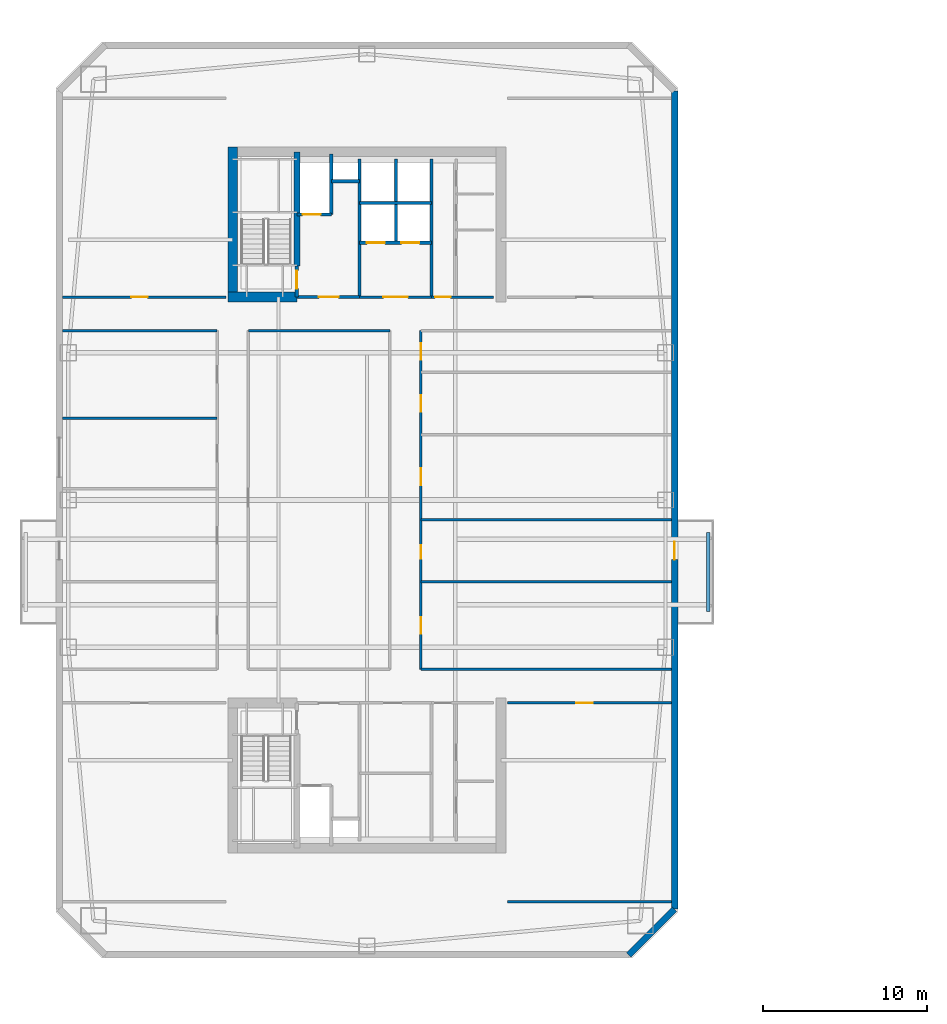
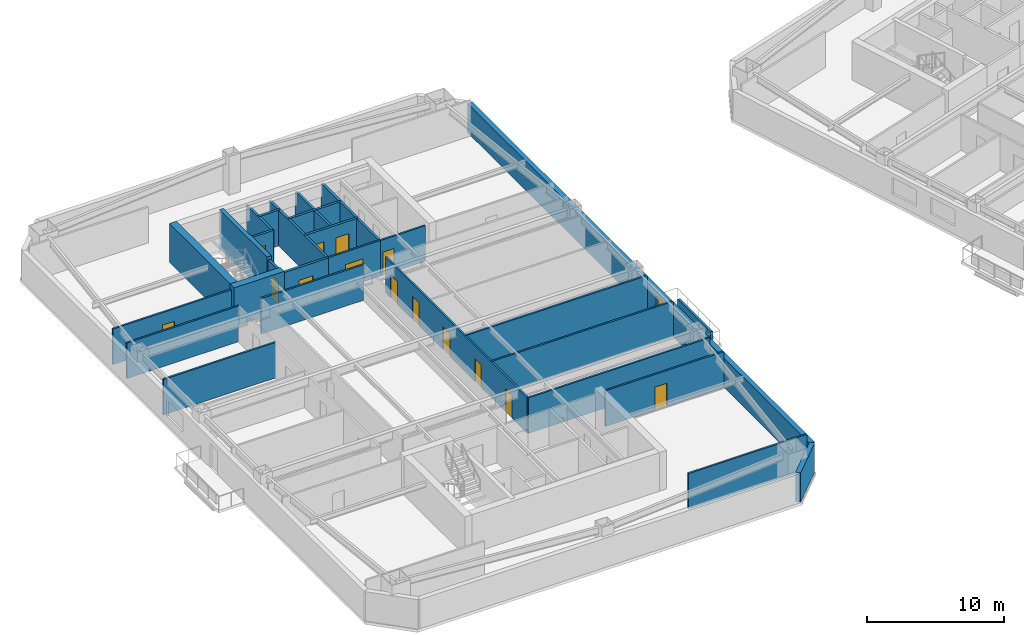
# One storey, part 5 of 14: 28 walls, 15 doors, 15 openings.
"""IFC4 building model written with IfcOpenShell, lengths in metres."""

from ifc_helpers import new_model, si_unit, direction, frame, frame_2d, origin, place, context, subcontext, project, spatial, rectangle, extrude, material, layer, layer_set, type_object, element, fill, save


model = new_model("IFC4")

# Units and contexts
model_context = context("Model", 3, precision=1e-05, world=origin(), true_north=direction((0.0, 1.0)))
body_context = subcontext(model_context, "Body", "Model", "MODEL_VIEW")
ifc_project = project(units=[si_unit("LENGTHUNIT", "METRE"), si_unit("AREAUNIT", "SQUARE_METRE"), si_unit("VOLUMEUNIT", "CUBIC_METRE"), si_unit("PLANEANGLEUNIT", "RADIAN"), si_unit("MASSUNIT", "GRAM", prefix="KILO")], contexts=[model_context])

# Site, building, storey
site_placement = place(None, origin())
site = spatial("IfcSite", under=ifc_project, at=site_placement, CompositionType="ELEMENT")
building_placement = place(site_placement, origin())
building = spatial("IfcBuilding", under=site, at=building_placement, Name="Qiaolan Cultural Towers", CompositionType="ELEMENT")
storey_placement = place(building_placement, frame((0.0, 0.0, 103.5)))
storey = spatial("IfcBuildingStorey", under=building, at=storey_placement, Name="L26", CompositionType="ELEMENT", Elevation=103.5)

# Walls
ifc_material_1 = material(Name="Concrete C50", Category="concrete")
ifc_layer_1 = layer(ifc_material_1, 0.35009765625)
ifc_layer_set_1 = layer_set([ifc_layer_1], Name="Concrete C50")
wall_type_1 = type_object("IfcWallType", Name="WL-CORE-350", PredefinedType="SHEAR", material=ifc_layer_set_1)
wall_1_placement = place(storey_placement, frame((25.719970703125, 48.300048828125, 0.0), z_axis=(0.0, 0.0, 1.0), x_axis=(0.0, 1.0, 0.0)))
element("IfcWall", 1, at=wall_1_placement, inside=storey, type_object=wall_type_1, Name="L26 T1-CN Stair Core Dividing Web", PredefinedType="SHEAR", context=body_context, shape_type="SweptSolid", body=[
    extrude(rectangle(XDim=6.97998046875, YDim=0.35009765625, at=frame_2d((3.489990234375, 0.0))), origin(), (0.0, 0.0, 1.0), 3.449951171875),
])
ifc_material_2 = material(Name="Concrete C55", Category="concrete")
ifc_layer_2 = layer(ifc_material_2, 0.60009765625)
ifc_layer_set_2 = layer_set([ifc_layer_2], Name="Concrete C55")
wall_type_2 = type_object("IfcWallType", Name="WL-CORE-600", PredefinedType="SHEAR", material=ifc_layer_set_2)
wall_2_placement = place(storey_placement, frame((21.800048828125, 46.10009765625, 0.0), z_axis=(0.0, 0.0, 1.0), x_axis=(0.0, 1.0, 0.0)))
element("IfcWall", 2, at=wall_2_placement, inside=storey, type_object=wall_type_2, Name="L26 T1-CN West Core Shear Wall", PredefinedType="SHEAR", context=body_context, shape_type="SweptSolid", body=[
    extrude(rectangle(XDim=9.47998046875, YDim=0.60009765625, at=frame_2d((4.739990234375, 0.0))), origin(), (0.0, 0.0, 1.0), 3.449951171875),
])
wall_3_placement = place(storey_placement, frame((21.5, 46.39990234375, 0.0), z_axis=(0.0, 0.0, 1.0), x_axis=(1.0, 0.0, 0.0)))
element("IfcWall", 3, at=wall_3_placement, inside=storey, type_object=wall_type_2, Name="L26 T1-CN Stair Front Shear Wall", PredefinedType="SHEAR", context=body_context, shape_type="SweptSolid", body=[
    extrude(rectangle(XDim=4.219970703125, YDim=0.60009765625, at=frame_2d((2.10986328125, 0.0))), origin(), (0.0, 0.0, 1.0), 3.449951171875),
])

# Wall, opening, door
ifc_material_3 = material(Name="Precast Concrete C50 Honed Stone Pier", Category="masonry")
ifc_layer_3 = layer(ifc_material_3, 0.39990234375)
ifc_layer_set_3 = layer_set([ifc_layer_3], Name="Precast Concrete C50 Honed Stone Pier")
wall_type_3 = type_object("IfcWallType", Name="WL-EXT-PIER-400", PredefinedType="SOLIDWALL", material=ifc_layer_set_3)
wall_4_placement = place(storey_placement, frame((48.800048828125, 59.0, 0.0), z_axis=(0.0, 0.0, 1.0), x_axis=(0.0, -1.0, 0.0)))
wall_4 = element("IfcWall", 4, at=wall_4_placement, inside=storey, type_object=wall_type_3, Name="L26 West Tower Precast Pier Facade Wall F5", PredefinedType="SOLIDWALL", context=body_context, shape_type="SweptSolid", body=[
    extrude(rectangle(XDim=50.0, YDim=0.39990234375, at=frame_2d((25.0, 0.0))), origin(), (0.0, 0.0, 1.0), 2.610107421875),
])
opening_1_placement = place(wall_4_placement, frame((27.550048828125, 0.0, 0.0)))
opening_1 = element("IfcOpeningElement", 5, at=opening_1_placement, cuts=wall_4, Name="Opening BD-01", PredefinedType="OPENING", context=body_context, shape_type="SweptSolid", body=[
    extrude(rectangle(XDim=1.10009765625, YDim=2.14990234375, at=frame_2d((0.550048828125, 1.074951171875))), frame((0.0, 0.2099609375, 0.0), z_axis=(0.0, -1.0, 0.0), x_axis=(1.0, 0.0, 0.0)), (0.0, 0.0, 1.0), 0.419921875),
])
ifc_material_4 = material(Name="Thermally Broken Aluminium Glazed Terrace Door", Category="aluminium")
door_type_1 = type_object("IfcDoorType", Name="DR-BAL-1100", OperationType="NOTDEFINED", PredefinedType="DOOR", material=ifc_material_4)
door_1_placement = place(opening_1_placement, origin())
door_1 = element("IfcDoor", 6, at=door_1_placement, inside=storey, type_object=door_type_1, Name="L26 T1 East Tree Balcony Door", OperationType="SINGLE_SWING_RIGHT", OverallHeight=2.14990234375, OverallWidth=1.10009765625, PredefinedType="DOOR", context=body_context, shape_type="SweptSolid", body=[
    extrude(rectangle(XDim=1.10009765625, YDim=2.14990234375, at=frame_2d((0.550048828125, 1.074951171875))), frame((0.0, 0.02490234375, 0.0), z_axis=(0.0, -1.0, 0.0), x_axis=(1.0, 0.0, 0.0)), (0.0, 0.0, 1.0), 0.050048828125),
])
fill(opening_1, door_1)

# Wall
wall_5_placement = place(storey_placement, frame((48.800048828125, 9.0, 0.0), z_axis=(0.0, 0.0, 1.0), x_axis=(-0.707106781187, -0.707106781187, 0.0)))
element("IfcWall", 7, at=wall_5_placement, inside=storey, type_object=wall_type_3, Name="L26 West Tower Precast Pier Facade Wall F6", PredefinedType="SOLIDWALL", context=body_context, shape_type="SweptSolid", body=[
    extrude(rectangle(XDim=3.9599609375, YDim=0.39990234375, at=frame_2d((1.97998046875, 0.0))), origin(), (0.0, 0.0, 1.0), 2.610107421875),
])

# Wall, opening, door
ifc_material_5 = material(Name="Concrete C35 Fire Wall", Category="concrete")
ifc_layer_4 = layer(ifc_material_5, 0.199951171875)
ifc_layer_set_4 = layer_set([ifc_layer_4], Name="Concrete C35 Fire Wall")
wall_type_4 = type_object("IfcWallType", Name="WL-FIRE-200", PredefinedType="PARTITIONING", material=ifc_layer_set_4)
wall_6_placement = place(storey_placement, frame((25.719970703125, 46.39990234375, 0.0), z_axis=(0.0, 0.0, 1.0), x_axis=(0.0, 1.0, 0.0)))
wall_6 = element("IfcWall", 8, at=wall_6_placement, inside=storey, type_object=wall_type_4, Name="L26 T1-CN Smokeproof Stair Entry Wall", PredefinedType="PARTITIONING", context=body_context, shape_type="SweptSolid", body=[
    extrude(rectangle(XDim=1.900146484375, YDim=0.199951171875, at=frame_2d((0.9501953125, 0.0))), origin(), (0.0, 0.0, 1.0), 3.175048828125),
])
opening_2_placement = place(wall_6_placement, frame((0.52001953125, 0.0, 0.0)))
opening_2 = element("IfcOpeningElement", 9, at=opening_2_placement, cuts=wall_6, Name="Opening FD-04", PredefinedType="OPENING", context=body_context, shape_type="SweptSolid", body=[
    extrude(rectangle(XDim=1.10009765625, YDim=2.050048828125, at=frame_2d((0.550048828125, 1.02490234375))), frame((0.0, 0.10986328125, 0.0), z_axis=(0.0, -1.0, 0.0), x_axis=(1.0, 0.0, 0.0)), (0.0, 0.0, 1.0), 0.219970703125),
])
ifc_material_6 = material(Name="Galvanized Steel Command Fire Door", Category="steel")
door_type_2 = type_object("IfcDoorType", Name="DR-FD90-1100", OperationType="NOTDEFINED", PredefinedType="DOOR", material=ifc_material_6)
door_2_placement = place(opening_2_placement, origin())
door_2 = element("IfcDoor", 10, at=door_2_placement, inside=storey, type_object=door_type_2, Name="L26 ST-W2 Smokeproof Stair Fire Door", OperationType="SINGLE_SWING_LEFT", OverallHeight=2.050048828125, OverallWidth=1.10009765625, PredefinedType="DOOR", context=body_context, shape_type="SweptSolid", body=[
    extrude(rectangle(XDim=1.10009765625, YDim=2.050048828125, at=frame_2d((0.550048828125, 1.02490234375))), frame((0.0, 0.02490234375, 0.0), z_axis=(0.0, -1.0, 0.0), x_axis=(1.0, 0.0, 0.0)), (0.0, 0.0, 1.0), 0.050048828125),
])
fill(opening_2, door_2)

# Wall
wall_7_placement = place(storey_placement, frame((29.550048828125, 46.39990234375, 0.0), z_axis=(0.0, 0.0, 1.0), x_axis=(0.0, 1.0, 0.0)))
element("IfcWall", 11, at=wall_7_placement, inside=storey, type_object=wall_type_4, Name="L26 T1-CN Firefighting Zone Wall", PredefinedType="PARTITIONING", context=body_context, shape_type="SweptSolid", body=[
    extrude(rectangle(XDim=8.43017578125, YDim=0.199951171875, at=frame_2d((4.215087890625, 0.0))), origin(), (0.0, 0.0, 1.0), 3.175048828125),
])

# Wall, opening, door
wall_8_placement = place(storey_placement, frame((25.719970703125, 46.39990234375, 0.0), z_axis=(0.0, 0.0, 1.0), x_axis=(1.0, 0.0, 0.0)))
wall_8 = element("IfcWall", 12, at=wall_8_placement, inside=storey, type_object=wall_type_4, Name="L26 T1-CN Firefighting Lobby Front Wall", PredefinedType="PARTITIONING", context=body_context, shape_type="SweptSolid", body=[
    extrude(rectangle(XDim=3.830078125, YDim=0.199951171875, at=frame_2d((1.9150390625, 0.0))), origin(), (0.0, 0.0, 1.0), 3.175048828125),
])
opening_3_placement = place(wall_8_placement, frame((1.35009765625, 0.0, 0.0)))
opening_3 = element("IfcOpeningElement", 13, at=opening_3_placement, cuts=wall_8, Name="Opening FD-03", PredefinedType="OPENING", context=body_context, shape_type="SweptSolid", body=[
    extrude(rectangle(XDim=1.199951171875, YDim=2.050048828125, at=frame_2d((0.60009765625, 1.02490234375))), frame((0.0, 0.10986328125, 0.0), z_axis=(0.0, -1.0, 0.0), x_axis=(1.0, 0.0, 0.0)), (0.0, 0.0, 1.0), 0.219970703125),
])
ifc_material_7 = material(Name="Galvanized Steel Smokeproof Lobby Fire Door", Category="steel")
door_type_3 = type_object("IfcDoorType", Name="DR-FD90-1200", OperationType="NOTDEFINED", PredefinedType="DOOR", material=ifc_material_7)
door_3_placement = place(opening_3_placement, origin())
door_3 = element("IfcDoor", 14, at=door_3_placement, inside=storey, type_object=door_type_3, Name="L26 FFL-W2 Firefighting Lobby Fire Door", OperationType="SINGLE_SWING_LEFT", OverallHeight=2.050048828125, OverallWidth=1.199951171875, PredefinedType="DOOR", context=body_context, shape_type="SweptSolid", body=[
    extrude(rectangle(XDim=1.199951171875, YDim=2.050048828125, at=frame_2d((0.60009765625, 1.02490234375))), frame((0.0, 0.02490234375, 0.0), z_axis=(0.0, -1.0, 0.0), x_axis=(1.0, 0.0, 0.0)), (0.0, 0.0, 1.0), 0.050048828125),
])
fill(opening_3, door_3)

wall_9_placement = place(storey_placement, frame((25.719970703125, 51.449951171875, 0.0), z_axis=(0.0, 0.0, 1.0), x_axis=(1.0, 0.0, 0.0)))
wall_9 = element("IfcWall", 15, at=wall_9_placement, inside=storey, type_object=wall_type_4, Name="L26 T1-CN Firefighting Shaft Front Wall", PredefinedType="PARTITIONING", context=body_context, shape_type="SweptSolid", body=[
    extrude(rectangle(XDim=2.10009765625, YDim=0.199951171875, at=frame_2d((1.050048828125, 0.0))), origin(), (0.0, 0.0, 1.0), 3.175048828125),
])
opening_4_placement = place(wall_9_placement, frame((0.35009765625, 0.0, 0.0)))
opening_4 = element("IfcOpeningElement", 16, at=opening_4_placement, cuts=wall_9, Name="Opening LD-01", PredefinedType="OPENING", context=body_context, shape_type="SweptSolid", body=[
    extrude(rectangle(XDim=1.10009765625, YDim=2.050048828125, at=frame_2d((0.550048828125, 1.02490234375))), frame((0.0, 0.10986328125, 0.0), z_axis=(0.0, -1.0, 0.0), x_axis=(1.0, 0.0, 0.0)), (0.0, 0.0, 1.0), 0.219970703125),
])
ifc_material_8 = material(Name="Brushed Stainless Steel S30408 Centre-Parting Lift Landing Door", Category="steel")
door_type_4 = type_object("IfcDoorType", Name="DR-LIFT-1100", OperationType="NOTDEFINED", PredefinedType="DOOR", material=ifc_material_8)
door_4_placement = place(opening_4_placement, origin())
door_4 = element("IfcDoor", 17, at=door_4_placement, inside=storey, type_object=door_type_4, Name="L26 FFL-W2 Firefighting Lift Landing Door", OperationType="DOUBLE_DOOR_SLIDING", OverallHeight=2.050048828125, OverallWidth=1.10009765625, PredefinedType="DOOR", context=body_context, shape_type="SweptSolid", body=[
    extrude(rectangle(XDim=1.10009765625, YDim=2.050048828125, at=frame_2d((0.550048828125, 1.02490234375))), frame((0.0, 0.02490234375, 0.0), z_axis=(0.0, -1.0, 0.0), x_axis=(1.0, 0.0, 0.0)), (0.0, 0.0, 1.0), 0.050048828125),
])
fill(opening_4, door_4)

# Walls
wall_10_placement = place(storey_placement, frame((27.820068359375, 51.449951171875, 0.0), z_axis=(0.0, 0.0, 1.0), x_axis=(0.0, 1.0, 0.0)))
element("IfcWall", 18, at=wall_10_placement, inside=storey, type_object=wall_type_4, Name="L26 T1-CN Firefighting Hoistway East Wall", PredefinedType="PARTITIONING", context=body_context, shape_type="SweptSolid", body=[
    extrude(rectangle(XDim=3.699951171875, YDim=0.199951171875, at=frame_2d((1.85009765625, 0.0))), origin(), (0.0, 0.0, 1.0), 3.175048828125),
])
wall_11_placement = place(storey_placement, frame((27.820068359375, 53.47998046875, 0.0), z_axis=(0.0, 0.0, 1.0), x_axis=(1.0, 0.0, 0.0)))
element("IfcWall", 19, at=wall_11_placement, inside=storey, type_object=wall_type_4, Name="L26 T1-CN Pressurization Shaft Front Wall", PredefinedType="PARTITIONING", context=body_context, shape_type="SweptSolid", body=[
    extrude(rectangle(XDim=1.72998046875, YDim=0.199951171875, at=frame_2d((0.864990234375, 0.0))), origin(), (0.0, 0.0, 1.0), 3.175048828125),
])
wall_12_placement = place(storey_placement, frame((33.949951171875, 46.39990234375, 0.0), z_axis=(0.0, 0.0, 1.0), x_axis=(0.0, 1.0, 0.0)))
element("IfcWall", 20, at=wall_12_placement, inside=storey, type_object=wall_type_4, Name="L26 T1-CN Lift Core East Wall", PredefinedType="PARTITIONING", context=body_context, shape_type="SweptSolid", body=[
    extrude(rectangle(XDim=8.43017578125, YDim=0.199951171875, at=frame_2d((4.215087890625, 0.0))), origin(), (0.0, 0.0, 1.0), 3.175048828125),
])

# Wall, openings, doors
wall_13_placement = place(storey_placement, frame((29.550048828125, 49.719970703125, 0.0), z_axis=(0.0, 0.0, 1.0), x_axis=(1.0, 0.0, 0.0)))
wall_13 = element("IfcWall", 21, at=wall_13_placement, inside=storey, type_object=wall_type_4, Name="L26 T1-CN Passenger Lift Shaft Front Wall", PredefinedType="PARTITIONING", context=body_context, shape_type="SweptSolid", body=[
    extrude(rectangle(XDim=4.39990234375, YDim=0.199951171875, at=frame_2d((2.199951171875, 0.0))), origin(), (0.0, 0.0, 1.0), 3.175048828125),
])
opening_5_placement = place(wall_13_placement, frame((0.449951171875, 0.0, 0.0)))
opening_5 = element("IfcOpeningElement", 22, at=opening_5_placement, cuts=wall_13, Name="Opening LD-01", PredefinedType="OPENING", context=body_context, shape_type="SweptSolid", body=[
    extrude(rectangle(XDim=1.10009765625, YDim=2.050048828125, at=frame_2d((0.550048828125, 1.02490234375))), frame((0.0, 0.10986328125, 0.0), z_axis=(0.0, -1.0, 0.0), x_axis=(1.0, 0.0, 0.0)), (0.0, 0.0, 1.0), 0.219970703125),
])
opening_6_placement = place(wall_13_placement, frame((2.550048828125, 0.0, 0.0)))
opening_6 = element("IfcOpeningElement", 23, at=opening_6_placement, cuts=wall_13, Name="Opening LD-01", PredefinedType="OPENING", context=body_context, shape_type="SweptSolid", body=[
    extrude(rectangle(XDim=1.10009765625, YDim=2.050048828125, at=frame_2d((0.550048828125, 1.02490234375))), frame((0.0, 0.10986328125, 0.0), z_axis=(0.0, -1.0, 0.0), x_axis=(1.0, 0.0, 0.0)), (0.0, 0.0, 1.0), 0.219970703125),
])
door_5_placement = place(opening_5_placement, origin())
door_5 = element("IfcDoor", 24, at=door_5_placement, inside=storey, type_object=door_type_4, Name="L26 Passenger Lift 1 Landing Door", OperationType="DOUBLE_DOOR_SLIDING", OverallHeight=2.050048828125, OverallWidth=1.10009765625, PredefinedType="DOOR", context=body_context, shape_type="SweptSolid", body=[
    extrude(rectangle(XDim=1.10009765625, YDim=2.050048828125, at=frame_2d((0.550048828125, 1.02490234375))), frame((0.0, 0.02490234375, 0.0), z_axis=(0.0, -1.0, 0.0), x_axis=(1.0, 0.0, 0.0)), (0.0, 0.0, 1.0), 0.050048828125),
])
fill(opening_5, door_5)
door_6_placement = place(opening_6_placement, origin())
door_6 = element("IfcDoor", 25, at=door_6_placement, inside=storey, type_object=door_type_4, Name="L26 Passenger Lift 2 Landing Door", OperationType="DOUBLE_DOOR_SLIDING", OverallHeight=2.050048828125, OverallWidth=1.10009765625, PredefinedType="DOOR", context=body_context, shape_type="SweptSolid", body=[
    extrude(rectangle(XDim=1.10009765625, YDim=2.050048828125, at=frame_2d((0.550048828125, 1.02490234375))), frame((0.0, 0.02490234375, 0.0), z_axis=(0.0, -1.0, 0.0), x_axis=(1.0, 0.0, 0.0)), (0.0, 0.0, 1.0), 0.050048828125),
])
fill(opening_6, door_6)

# Walls
wall_14_placement = place(storey_placement, frame((31.780029296875, 49.719970703125, 0.0), z_axis=(0.0, 0.0, 1.0), x_axis=(0.0, 1.0, 0.0)))
element("IfcWall", 26, at=wall_14_placement, inside=storey, type_object=wall_type_4, Name="L26 T1-CN Lift Shaft Divider Wall", PredefinedType="PARTITIONING", context=body_context, shape_type="SweptSolid", body=[
    extrude(rectangle(XDim=5.110107421875, YDim=0.199951171875, at=frame_2d((2.55517578125, 0.0))), origin(), (0.0, 0.0, 1.0), 3.175048828125),
])
wall_15_placement = place(storey_placement, frame((29.550048828125, 52.14990234375, 0.0), z_axis=(0.0, 0.0, 1.0), x_axis=(1.0, 0.0, 0.0)))
element("IfcWall", 27, at=wall_15_placement, inside=storey, type_object=wall_type_4, Name="L26 T1-CN Passenger Lift Shaft Back Wall", PredefinedType="PARTITIONING", context=body_context, shape_type="SweptSolid", body=[
    extrude(rectangle(XDim=4.39990234375, YDim=0.199951171875, at=frame_2d((2.199951171875, 0.0))), origin(), (0.0, 0.0, 1.0), 3.175048828125),
])

# Wall, opening, door
ifc_material_9 = material(Name="Autoclaved Aerated Concrete Block B06", Category="concrete")
ifc_layer_5 = layer(ifc_material_9, 0.14990234375)
ifc_layer_set_5 = layer_set([ifc_layer_5], Name="Autoclaved Aerated Concrete Block B06")
wall_type_5 = type_object("IfcWallType", Name="WL-PART-150", PredefinedType="PARTITIONING", material=ifc_layer_set_5)
wall_16_placement = place(storey_placement, frame((29.550048828125, 46.39990234375, 0.0), z_axis=(0.0, 0.0, 1.0), x_axis=(1.0, 0.0, 0.0)))
wall_16 = element("IfcWall", 28, at=wall_16_placement, inside=storey, type_object=wall_type_5, Name="L26 T1-CN Passenger Lift Lobby Front Wall", PredefinedType="PARTITIONING", context=body_context, shape_type="SweptSolid", body=[
    extrude(rectangle(XDim=4.39990234375, YDim=0.14990234375, at=frame_2d((2.199951171875, 0.0))), origin(), (0.0, 0.0, 1.0), 3.175048828125),
])
opening_7_placement = place(wall_16_placement, frame((1.449951171875, 0.0, 0.0)))
opening_7 = element("IfcOpeningElement", 29, at=opening_7_placement, cuts=wall_16, Name="Opening FD-05", PredefinedType="OPENING", context=body_context, shape_type="SweptSolid", body=[
    extrude(rectangle(XDim=1.5, YDim=2.050048828125, at=frame_2d((0.75, 1.02490234375))), frame((0.0, 0.0849609375, 0.0), z_axis=(0.0, -1.0, 0.0), x_axis=(1.0, 0.0, 0.0)), (0.0, 0.0, 1.0), 0.169921875),
])
ifc_material_10 = material(Name="Painted Steel Lift Lobby Fire Door", Category="steel")
door_type_5 = type_object("IfcDoorType", Name="DR-FD60-1500", OperationType="NOTDEFINED", PredefinedType="DOOR", material=ifc_material_10)
door_7_placement = place(opening_7_placement, origin())
door_7 = element("IfcDoor", 30, at=door_7_placement, inside=storey, type_object=door_type_5, Name="L26 Passenger Lift Lobby Entrance", OperationType="SINGLE_SWING_LEFT", OverallHeight=2.050048828125, OverallWidth=1.5, PredefinedType="DOOR", context=body_context, shape_type="SweptSolid", body=[
    extrude(rectangle(XDim=1.5, YDim=2.050048828125, at=frame_2d((0.75, 1.02490234375))), frame((0.0, 0.02490234375, 0.0), z_axis=(0.0, -1.0, 0.0), x_axis=(1.0, 0.0, 0.0)), (0.0, 0.0, 1.0), 0.050048828125),
])
fill(opening_7, door_7)

wall_17_placement = place(storey_placement, frame((33.949951171875, 46.39990234375, 0.0), z_axis=(0.0, 0.0, 1.0), x_axis=(1.0, 0.0, 0.0)))
wall_17 = element("IfcWall", 31, at=wall_17_placement, inside=storey, type_object=wall_type_5, Name="L26 T1-CN Sanitary Core Front Wall", PredefinedType="PARTITIONING", context=body_context, shape_type="SweptSolid", body=[
    extrude(rectangle(XDim=3.800048828125, YDim=0.14990234375, at=frame_2d((1.89990234375, 0.0))), origin(), (0.0, 0.0, 1.0), 3.175048828125),
])
opening_8_placement = place(wall_17_placement, frame((0.219970703125, 0.0, 0.0)))
opening_8 = element("IfcOpeningElement", 32, at=opening_8_placement, cuts=wall_17, Name="Opening ID-05", PredefinedType="OPENING", context=body_context, shape_type="SweptSolid", body=[
    extrude(rectangle(XDim=0.949951171875, YDim=2.050048828125, at=frame_2d((0.47509765625, 1.02490234375))), frame((0.0, 0.0849609375, 0.0), z_axis=(0.0, -1.0, 0.0), x_axis=(1.0, 0.0, 0.0)), (0.0, 0.0, 1.0), 0.169921875),
])
ifc_material_11 = material(Name="Fire-Rated Laminate Accessible Core Door", Category="timber")
door_type_6 = type_object("IfcDoorType", Name="DR-INT-950", OperationType="NOTDEFINED", PredefinedType="DOOR", material=ifc_material_11)
door_8_placement = place(opening_8_placement, origin())
door_8 = element("IfcDoor", 33, at=door_8_placement, inside=storey, type_object=door_type_6, Name="L26 Sanitary Vestibule Door", OperationType="SINGLE_SWING_LEFT", OverallHeight=2.050048828125, OverallWidth=0.949951171875, PredefinedType="DOOR", context=body_context, shape_type="SweptSolid", body=[
    extrude(rectangle(XDim=0.949951171875, YDim=2.050048828125, at=frame_2d((0.47509765625, 1.02490234375))), frame((0.0, 0.02490234375, 0.0), z_axis=(0.0, -1.0, 0.0), x_axis=(1.0, 0.0, 0.0)), (0.0, 0.0, 1.0), 0.050048828125),
])
fill(opening_8, door_8)

# Wall
wall_18_placement = place(storey_placement, frame((38.60009765625, 9.449951171875, 0.0), z_axis=(0.0, 0.0, 1.0), x_axis=(1.0, 0.0, 0.0)))
element("IfcWall", 34, at=wall_18_placement, inside=storey, type_object=wall_type_5, Name="L26 T1 Flank Wall FLK-SE", PredefinedType="PARTITIONING", context=body_context, shape_type="SweptSolid", body=[
    extrude(rectangle(XDim=10.0, YDim=0.14990234375, at=frame_2d((5.0, 0.0))), origin(), (0.0, 0.0, 1.0), 3.175048828125),
])

# Wall, opening, door
wall_19_placement = place(storey_placement, frame((38.60009765625, 21.60009765625, 0.0), z_axis=(0.0, 0.0, 1.0), x_axis=(1.0, 0.0, 0.0)))
wall_19 = element("IfcWall", 35, at=wall_19_placement, inside=storey, type_object=wall_type_5, Name="L26 T1 Flank Front FLK-SE", PredefinedType="PARTITIONING", context=body_context, shape_type="SweptSolid", body=[
    extrude(rectangle(XDim=10.0, YDim=0.14990234375, at=frame_2d((5.0, 0.0))), origin(), (0.0, 0.0, 1.0), 3.175048828125),
])
opening_9_placement = place(wall_19_placement, frame((4.199951171875, 0.0, 0.0)))
opening_9 = element("IfcOpeningElement", 36, at=opening_9_placement, cuts=wall_19, Name="Opening ID-04", PredefinedType="OPENING", context=body_context, shape_type="SweptSolid", body=[
    extrude(rectangle(XDim=1.0, YDim=2.050048828125, at=frame_2d((0.5, 1.02490234375))), frame((0.0, 0.0849609375, 0.0), z_axis=(0.0, -1.0, 0.0), x_axis=(1.0, 0.0, 0.0)), (0.0, 0.0, 1.0), 0.169921875),
])
ifc_material_12 = material(Name="Oak Veneer Acoustic Office Door", Category="timber")
door_type_7 = type_object("IfcDoorType", Name="DR-INT-1000", OperationType="NOTDEFINED", PredefinedType="DOOR", material=ifc_material_12)
door_9_placement = place(opening_9_placement, origin())
door_9 = element("IfcDoor", 37, at=door_9_placement, inside=storey, type_object=door_type_7, Name="L26 T1 Corner Studio Door", OperationType="SINGLE_SWING_LEFT", OverallHeight=2.050048828125, OverallWidth=1.0, PredefinedType="DOOR", context=body_context, shape_type="SweptSolid", body=[
    extrude(rectangle(XDim=1.0, YDim=2.050048828125, at=frame_2d((0.5, 1.02490234375))), frame((0.0, 0.02490234375, 0.0), z_axis=(0.0, -1.0, 0.0), x_axis=(1.0, 0.0, 0.0)), (0.0, 0.0, 1.0), 0.050048828125),
])
fill(opening_9, door_9)

wall_20_placement = place(storey_placement, frame((11.39990234375, 46.39990234375, 0.0), z_axis=(0.0, 0.0, 1.0), x_axis=(1.0, 0.0, 0.0)))
wall_20 = element("IfcWall", 38, at=wall_20_placement, inside=storey, type_object=wall_type_5, Name="L26 T1 Flank Front FLK-NW", PredefinedType="PARTITIONING", context=body_context, shape_type="SweptSolid", body=[
    extrude(rectangle(XDim=10.0, YDim=0.14990234375, at=frame_2d((5.0, 0.0))), origin(), (0.0, 0.0, 1.0), 3.175048828125),
])
opening_10_placement = place(wall_20_placement, frame((4.199951171875, 0.0, 0.0)))
opening_10 = element("IfcOpeningElement", 39, at=opening_10_placement, cuts=wall_20, Name="Opening ID-04", PredefinedType="OPENING", context=body_context, shape_type="SweptSolid", body=[
    extrude(rectangle(XDim=1.0, YDim=2.050048828125, at=frame_2d((0.5, 1.02490234375))), frame((0.0, 0.0849609375, 0.0), z_axis=(0.0, -1.0, 0.0), x_axis=(1.0, 0.0, 0.0)), (0.0, 0.0, 1.0), 0.169921875),
])
door_10_placement = place(opening_10_placement, origin())
door_10 = element("IfcDoor", 40, at=door_10_placement, inside=storey, type_object=door_type_7, Name="L26 T1 Corner Studio Door", OperationType="SINGLE_SWING_LEFT", OverallHeight=2.050048828125, OverallWidth=1.0, PredefinedType="DOOR", context=body_context, shape_type="SweptSolid", body=[
    extrude(rectangle(XDim=1.0, YDim=2.050048828125, at=frame_2d((0.5, 1.02490234375))), frame((0.0, 0.02490234375, 0.0), z_axis=(0.0, -1.0, 0.0), x_axis=(1.0, 0.0, 0.0)), (0.0, 0.0, 1.0), 0.050048828125),
])
fill(opening_10, door_10)

# Walls
wall_21_placement = place(storey_placement, frame((33.300048828125, 23.64990234375, 0.0), z_axis=(0.0, 0.0, 1.0), x_axis=(1.0, 0.0, 0.0)))
element("IfcWall", 41, at=wall_21_placement, inside=storey, type_object=wall_type_5, Name="L26 T1 Interior Wall", PredefinedType="PARTITIONING", context=body_context, shape_type="SweptSolid", body=[
    extrude(rectangle(XDim=15.300048828125, YDim=0.14990234375, at=frame_2d((7.64990234375, 0.0))), origin(), (0.0, 0.0, 1.0), 3.175048828125),
])
wall_22_placement = place(storey_placement, frame((11.39990234375, 44.35009765625, 0.0), z_axis=(0.0, 0.0, 1.0), x_axis=(1.0, 0.0, 0.0)))
element("IfcWall", 42, at=wall_22_placement, inside=storey, type_object=wall_type_5, Name="L26 T1 Interior Wall", PredefinedType="PARTITIONING", context=body_context, shape_type="SweptSolid", body=[
    extrude(rectangle(XDim=9.4501953125, YDim=0.14990234375, at=frame_2d((4.72509765625, 0.0))), origin(), (0.0, 0.0, 1.0), 3.175048828125),
])
wall_23_placement = place(storey_placement, frame((22.75, 44.35009765625, 0.0), z_axis=(0.0, 0.0, 1.0), x_axis=(1.0, 0.0, 0.0)))
element("IfcWall", 43, at=wall_23_placement, inside=storey, type_object=wall_type_5, Name="L26 T1 Interior Wall", PredefinedType="PARTITIONING", context=body_context, shape_type="SweptSolid", body=[
    extrude(rectangle(XDim=8.64990234375, YDim=0.14990234375, at=frame_2d((4.324951171875, 0.0))), origin(), (0.0, 0.0, 1.0), 3.175048828125),
])

# Wall, openings, doors
wall_24_placement = place(storey_placement, frame((33.300048828125, 23.64990234375, 0.0), z_axis=(0.0, 0.0, 1.0), x_axis=(0.0, 1.0, 0.0)))
wall_24 = element("IfcWall", 44, at=wall_24_placement, inside=storey, type_object=wall_type_5, Name="L26 T1 Interior Wall", PredefinedType="PARTITIONING", context=body_context, shape_type="SweptSolid", body=[
    extrude(rectangle(XDim=20.7001953125, YDim=0.14990234375, at=frame_2d((10.35009765625, 0.0))), origin(), (0.0, 0.0, 1.0), 3.175048828125),
])
opening_11_placement = place(wall_24_placement, frame((2.175048828125, 0.0, 0.0)))
opening_11 = element("IfcOpeningElement", 45, at=opening_11_placement, cuts=wall_24, Name="Opening ID-04", PredefinedType="OPENING", context=body_context, shape_type="SweptSolid", body=[
    extrude(rectangle(XDim=1.0, YDim=2.050048828125, at=frame_2d((0.5, 1.02490234375))), frame((0.0, 0.0849609375, 0.0), z_axis=(0.0, -1.0, 0.0), x_axis=(1.0, 0.0, 0.0)), (0.0, 0.0, 1.0), 0.169921875),
])
opening_12_placement = place(wall_24_placement, frame((6.75, 0.0, 0.0)))
opening_12 = element("IfcOpeningElement", 46, at=opening_12_placement, cuts=wall_24, Name="Opening ID-09", PredefinedType="OPENING", context=body_context, shape_type="SweptSolid", body=[
    extrude(rectangle(XDim=0.85009765625, YDim=2.050048828125, at=frame_2d((0.425048828125, 1.02490234375))), frame((0.0, 0.0849609375, 0.0), z_axis=(0.0, -1.0, 0.0), x_axis=(1.0, 0.0, 0.0)), (0.0, 0.0, 1.0), 0.169921875),
])
opening_13_placement = place(wall_24_placement, frame((11.25, 0.0, 0.0)))
opening_13 = element("IfcOpeningElement", 47, at=opening_13_placement, cuts=wall_24, Name="Opening ID-07", PredefinedType="OPENING", context=body_context, shape_type="SweptSolid", body=[
    extrude(rectangle(XDim=1.050048828125, YDim=2.050048828125, at=frame_2d((0.52490234375, 1.02490234375))), frame((0.0, 0.0849609375, 0.0), z_axis=(0.0, -1.0, 0.0), x_axis=(1.0, 0.0, 0.0)), (0.0, 0.0, 1.0), 0.169921875),
])
opening_14_placement = place(wall_24_placement, frame((15.75, 0.0, 0.0)))
opening_14 = element("IfcOpeningElement", 48, at=opening_14_placement, cuts=wall_24, Name="Opening ID-04", PredefinedType="OPENING", context=body_context, shape_type="SweptSolid", body=[
    extrude(rectangle(XDim=1.0, YDim=2.050048828125, at=frame_2d((0.5, 1.02490234375))), frame((0.0, 0.0849609375, 0.0), z_axis=(0.0, -1.0, 0.0), x_axis=(1.0, 0.0, 0.0)), (0.0, 0.0, 1.0), 0.169921875),
])
opening_15_placement = place(wall_24_placement, frame((18.925048828125, 0.0, 0.0)))
opening_15 = element("IfcOpeningElement", 49, at=opening_15_placement, cuts=wall_24, Name="Opening ID-04", PredefinedType="OPENING", context=body_context, shape_type="SweptSolid", body=[
    extrude(rectangle(XDim=1.0, YDim=2.050048828125, at=frame_2d((0.5, 1.02490234375))), frame((0.0, 0.0849609375, 0.0), z_axis=(0.0, -1.0, 0.0), x_axis=(1.0, 0.0, 0.0)), (0.0, 0.0, 1.0), 0.169921875),
])
door_11_placement = place(opening_11_placement, origin())
door_11 = element("IfcDoor", 50, at=door_11_placement, inside=storey, type_object=door_type_7, Name="L26 T1 Archival Research Office Door", OperationType="SINGLE_SWING_RIGHT", OverallHeight=2.050048828125, OverallWidth=1.0, PredefinedType="DOOR", context=body_context, shape_type="SweptSolid", body=[
    extrude(rectangle(XDim=1.0, YDim=2.050048828125, at=frame_2d((0.5, 1.02490234375))), frame((0.0, 0.02490234375, 0.0), z_axis=(0.0, -1.0, 0.0), x_axis=(1.0, 0.0, 0.0)), (0.0, 0.0, 1.0), 0.050048828125),
])
fill(opening_11, door_11)
door_12_placement = place(opening_14_placement, origin())
door_12 = element("IfcDoor", 51, at=door_12_placement, inside=storey, type_object=door_type_7, Name="L26 T1 Tea Kitchen Door", OperationType="SINGLE_SWING_LEFT", OverallHeight=2.050048828125, OverallWidth=1.0, PredefinedType="DOOR", context=body_context, shape_type="SweptSolid", body=[
    extrude(rectangle(XDim=1.0, YDim=2.050048828125, at=frame_2d((0.5, 1.02490234375))), frame((0.0, 0.02490234375, 0.0), z_axis=(0.0, -1.0, 0.0), x_axis=(1.0, 0.0, 0.0)), (0.0, 0.0, 1.0), 0.050048828125),
])
fill(opening_14, door_12)
door_13_placement = place(opening_15_placement, origin())
door_13 = element("IfcDoor", 52, at=door_13_placement, inside=storey, type_object=door_type_7, Name="L26 T1 Scholar Lounge Door", OperationType="SINGLE_SWING_RIGHT", OverallHeight=2.050048828125, OverallWidth=1.0, PredefinedType="DOOR", context=body_context, shape_type="SweptSolid", body=[
    extrude(rectangle(XDim=1.0, YDim=2.050048828125, at=frame_2d((0.5, 1.02490234375))), frame((0.0, 0.02490234375, 0.0), z_axis=(0.0, -1.0, 0.0), x_axis=(1.0, 0.0, 0.0)), (0.0, 0.0, 1.0), 0.050048828125),
])
fill(opening_15, door_13)
ifc_material_13 = material(Name="Oak Veneer Consultation Door", Category="timber")
door_type_8 = type_object("IfcDoorType", Name="DR-INT-1050", OperationType="NOTDEFINED", PredefinedType="DOOR", material=ifc_material_13)
door_14_placement = place(opening_13_placement, origin())
door_14 = element("IfcDoor", 53, at=door_14_placement, inside=storey, type_object=door_type_8, Name="L26 T1 Colloquium Room Door", OperationType="SINGLE_SWING_RIGHT", OverallHeight=2.050048828125, OverallWidth=1.050048828125, PredefinedType="DOOR", context=body_context, shape_type="SweptSolid", body=[
    extrude(rectangle(XDim=1.050048828125, YDim=2.050048828125, at=frame_2d((0.52490234375, 1.02490234375))), frame((0.0, 0.02490234375, 0.0), z_axis=(0.0, -1.0, 0.0), x_axis=(1.0, 0.0, 0.0)), (0.0, 0.0, 1.0), 0.050048828125),
])
fill(opening_13, door_14)
ifc_material_14 = material(Name="Moisture-Resistant Laminate Utility Door", Category="timber")
door_type_9 = type_object("IfcDoorType", Name="DR-INT-850", OperationType="NOTDEFINED", PredefinedType="DOOR", material=ifc_material_14)
door_15_placement = place(opening_12_placement, origin())
door_15 = element("IfcDoor", 54, at=door_15_placement, inside=storey, type_object=door_type_9, Name="L26 T1 Archival Research Office Door", OperationType="SINGLE_SWING_LEFT", OverallHeight=2.050048828125, OverallWidth=0.85009765625, PredefinedType="DOOR", context=body_context, shape_type="SweptSolid", body=[
    extrude(rectangle(XDim=0.85009765625, YDim=2.050048828125, at=frame_2d((0.425048828125, 1.02490234375))), frame((0.0, 0.02490234375, 0.0), z_axis=(0.0, -1.0, 0.0), x_axis=(1.0, 0.0, 0.0)), (0.0, 0.0, 1.0), 0.050048828125),
])
fill(opening_12, door_15)

# Walls
wall_25_placement = place(storey_placement, frame((11.39990234375, 39.0, 0.0), z_axis=(0.0, 0.0, 1.0), x_axis=(1.0, 0.0, 0.0)))
element("IfcWall", 55, at=wall_25_placement, inside=storey, type_object=wall_type_5, Name="L26 T1 Interior Wall", PredefinedType="PARTITIONING", context=body_context, shape_type="SweptSolid", body=[
    extrude(rectangle(XDim=9.4501953125, YDim=0.14990234375, at=frame_2d((4.72509765625, 0.0))), origin(), (0.0, 0.0, 1.0), 3.175048828125),
])
for number, where, z_axis, x_axis, name in (
    (56, (33.300048828125, 29.0, 0.0), (0.0, 0.0, 1.0), (1.0, 0.0, 0.0), "L26 T1 Interior Wall"),
    (57, (33.300048828125, 32.800048828125, 0.0), (0.0, 0.0, 1.0), (1.0, 0.0, 0.0), "L26 T1 Interior Wall"),
):
    element("IfcWall", number, at=place(storey_placement, frame(where, z_axis=z_axis, x_axis=x_axis)), inside=storey, type_object=wall_type_5, Name=name, PredefinedType="PARTITIONING", context=body_context, shape_type="SweptSolid", body=[
        extrude(rectangle(XDim=15.300048828125, YDim=0.14990234375, at=frame_2d((7.64990234375, 0.0))), origin(), (0.0, 0.0, 1.0), 3.175048828125),
    ])
ifc_material_15 = material(Name="Precast Concrete C45 Tree Planter Upstand", Category="concrete")
ifc_layer_6 = layer(ifc_material_15, 0.199951171875)
ifc_layer_set_6 = layer_set([ifc_layer_6], Name="Precast Concrete C45 Tree Planter Upstand")
wall_type_6 = type_object("IfcWallType", Name="WL-PLANTER-200", PredefinedType="PARAPET", material=ifc_layer_set_6)
wall_26_placement = place(storey_placement, frame((50.85009765625, 27.199951171875, 0.0), z_axis=(0.0, 0.0, 1.0), x_axis=(0.0, 1.0, 0.0)))
element("IfcWall", 58, at=wall_26_placement, inside=storey, type_object=wall_type_6, Name="L26 T1 Tree Balcony Soil Planter Box E", PredefinedType="PARAPET", context=body_context, shape_type="SweptSolid", body=[
    extrude(rectangle(XDim=4.800048828125, YDim=0.199951171875, at=frame_2d((2.39990234375, 0.0))), origin(), (0.0, 0.0, 1.0), 0.75),
])

save(model, "model.ifc")
